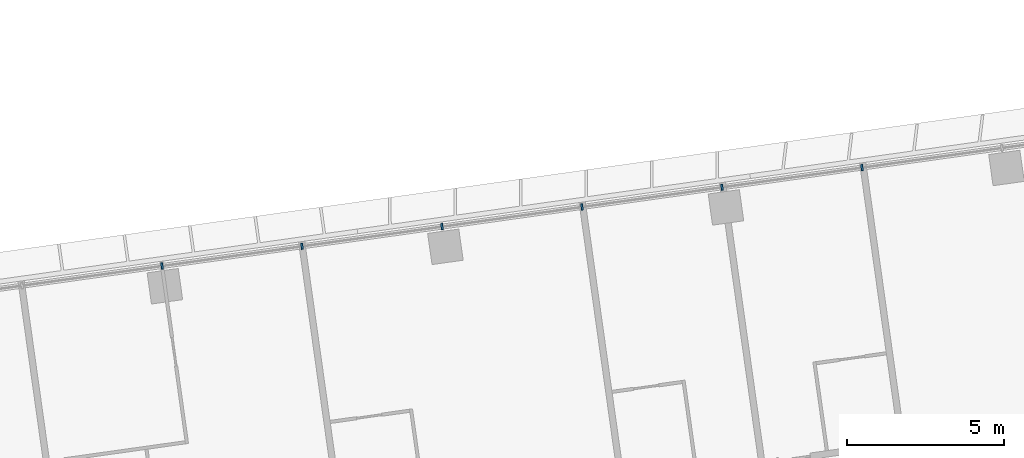
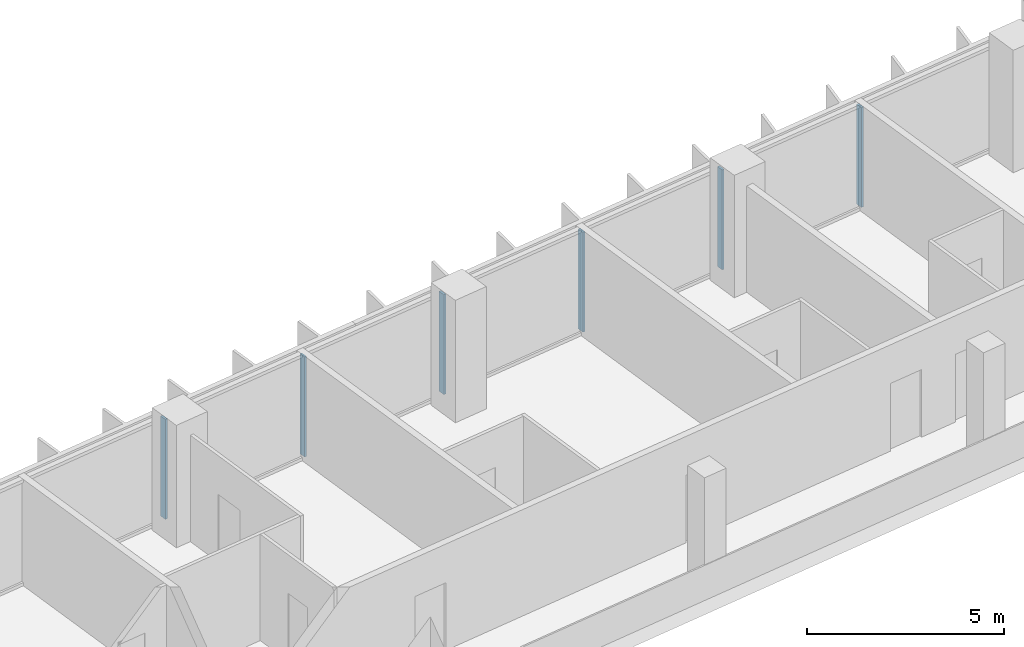
# One storey, part 10 of 24: 6 members, 1 element without a shape of its own.
"""IFC4 building model written with IfcOpenShell, lengths in metres."""

import ifcopenshell
import ifcopenshell.guid

model = None  # the IFC model being written
_history = None  # IfcOwnerHistory: only IFC2X3 demands one
_inside = {}  # id of a spatial element -> (the spatial element, [elements in it])
_under = {}  # id of a project, library or spatial element -> (it, [spatial elements below it])
_declared = {}  # id of a project -> (the project, [libraries it declares])
_typed = {}  # id of a type object -> (the type object, [elements of that type])
_made_of = {}  # id of a material, layer set ... -> (it, [elements and type objects made of it])


def new_model(schema):
    """Start an empty IFC model of exactly this schema.

    Asked for "IFC4X3", IfcOpenShell would pick the latest addendum, in which some entities
    have other attributes; the version numbers below select the first issue.
    IFC2X3 requires an IfcOwnerHistory on every rooted entity: one is made here for all.
    """
    global model, _history
    if schema == "IFC4X3":
        model = ifcopenshell.file(schema_version=(4, 3, 0, 0))
    else:
        model = ifcopenshell.file(schema=schema)
    _inside.clear()
    _under.clear()
    _declared.clear()
    _typed.clear()
    _made_of.clear()
    _history = None
    if model.schema == "IFC2X3":
        org = make("IfcOrganization", Name="unknown")
        user = make(
            "IfcPersonAndOrganization",
            ThePerson=make("IfcPerson", FamilyName="unknown"),
            TheOrganization=org,
        )
        app = make(
            "IfcApplication",
            ApplicationDeveloper=org,
            Version="unknown",
            ApplicationFullName="unknown",
            ApplicationIdentifier="unknown",
        )
        _history = make(
            "IfcOwnerHistory",
            OwningUser=user,
            OwningApplication=app,
            ChangeAction="ADDED",
            CreationDate=0,
        )
    return model


def make(cls, **values):
    """One entity of the class cls with the attributes given. An attribute that is None is left unset."""
    return model.create_entity(
        cls, **{name: value for name, value in values.items() if value is not None}
    )


def rooted(cls, **values):
    """An entity with a GlobalId (a new one), such as an element, a storey or a relation."""
    return make(cls, GlobalId=ifcopenshell.guid.new(), OwnerHistory=_history, **values)


def si_unit(unit_type, name, prefix=None):
    """IfcSIUnit, for example si_unit("LENGTHUNIT", "METRE", prefix="MILLI")."""
    return make("IfcSIUnit", UnitType=unit_type, Prefix=prefix, Name=name)


def assignment(units):
    """IfcUnitAssignment: the units of a project."""
    return None if units is None else make("IfcUnitAssignment", Units=units)


def point(xyz):
    """IfcCartesianPoint."""
    return None if xyz is None else make("IfcCartesianPoint", Coordinates=xyz)


def direction(xyz):
    """IfcDirection."""
    return None if xyz is None else make("IfcDirection", DirectionRatios=xyz)


def frame(location, z_axis=None, x_axis=None):
    """IfcAxis2Placement3D, a coordinate frame: its origin and axes. An axis left out is left unset."""
    return make(
        "IfcAxis2Placement3D",
        Location=point(location),
        Axis=direction(z_axis),
        RefDirection=direction(x_axis),
    )


def frame_2d(location, x_axis=None):
    """IfcAxis2Placement2D, a coordinate frame in the plane: its origin and x axis."""
    return make(
        "IfcAxis2Placement2D", Location=point(location), RefDirection=direction(x_axis)
    )


def origin():
    """The frame at (0, 0, 0) with its axes left unset."""
    return frame((0.0, 0.0, 0.0))


def origin_2d():
    """The frame at (0, 0) in the plane with its x axis left unset."""
    return frame_2d((0.0, 0.0))


def place(relative_to, where):
    """IfcLocalPlacement: puts the frame where relative to a parent placement (None: the world)."""
    return make(
        "IfcLocalPlacement", PlacementRelTo=relative_to, RelativePlacement=where
    )


def context(
    kind, dimensions, precision=None, world=None, true_north=None, identifier=None
):
    """IfcGeometricRepresentationContext, for example the 3D "Model" context."""
    return make(
        "IfcGeometricRepresentationContext",
        ContextIdentifier=identifier,
        ContextType=kind,
        CoordinateSpaceDimension=dimensions,
        Precision=precision,
        WorldCoordinateSystem=world,
        TrueNorth=true_north,
    )


def subcontext(parent, identifier, kind, view, scale=None):
    """IfcGeometricRepresentationSubContext, for example "Body" below "Model"."""
    return make(
        "IfcGeometricRepresentationSubContext",
        ContextIdentifier=identifier,
        ContextType=kind,
        ParentContext=parent,
        TargetScale=scale,
        TargetView=view,
    )


def project(units=None, contexts=None):
    """IfcProject with its units and contexts."""
    return rooted(
        "IfcProject",
        Name="project",
        RepresentationContexts=contexts,
        UnitsInContext=assignment(units),
    )


def spatial(cls, under=None, at=None, **own):
    """A site, building, storey or space (cls), placed at a placement, below another one or the project."""
    s = rooted(cls, ObjectPlacement=at, **own)
    if under is not None:
        _under.setdefault(under.id(), (under, []))[1].append(s)
    return s


def profile(cls, at=None, kind="AREA", **sizes):
    """A parametric profile (cls). Its sizes go by their IFC names, for example OverallWidth=200.0."""
    return make(cls, ProfileType=kind, Position=at, **sizes)


def rectangle(**sizes):
    """IfcRectangleProfileDef."""
    return profile("IfcRectangleProfileDef", **sizes)


def extrude(swept, where, along, depth):
    """IfcExtrudedAreaSolid: the profile swept, set in the frame where, extruded along a direction by depth."""
    return make(
        "IfcExtrudedAreaSolid",
        SweptArea=swept,
        Position=where,
        ExtrudedDirection=direction(along),
        Depth=depth,
    )


def shape(context_of_items, identifier, shape_type, items):
    """IfcShapeRepresentation: the items that make up one representation, for example the "Body"."""
    return make(
        "IfcShapeRepresentation",
        ContextOfItems=context_of_items,
        RepresentationIdentifier=identifier,
        RepresentationType=shape_type,
        Items=items,
    )


def material(Name=None, Category=None):
    """IfcMaterial."""
    return make("IfcMaterial", Name=Name, Category=Category)


def material_profile(
    of_material, cross_section, Name=None, Category=None, Priority=None
):
    """IfcMaterialProfile: a cross section and its material."""
    return make(
        "IfcMaterialProfile",
        Name=Name,
        Material=of_material,
        Profile=cross_section,
        Priority=Priority,
        Category=Category,
    )


def profile_set(profiles, Name=None, composite=None):
    """IfcMaterialProfileSet."""
    return make(
        "IfcMaterialProfileSet",
        Name=Name,
        MaterialProfiles=profiles,
        CompositeProfile=composite,
    )


def made_of(thing, what):
    """Note that an element or type object is made of a material, layer set ...; save() writes the relation."""
    if what is not None:
        _made_of.setdefault(what.id(), (what, []))[1].append(thing)
    return thing


def type_object(cls, material=None, **own):
    """A type object (cls), such as IfcWallType, which elements share."""
    return made_of(rooted(cls, **own), material)


def element(
    cls,
    number,
    at=None,
    inside=None,
    cuts=None,
    type_object=None,
    material=None,
    context=None,
    identifier="Body",
    shape_type=None,
    held_by="IfcProductDefinitionShape",
    body=None,
    shapes=None,
    **own,
):
    """One element of the class cls, such as IfcWall. Its Tag is "e" and its number.

    at: its placement. inside: the storey or other place that contains it. cuts: it is an
    opening in that element (IfcRelVoidsElement). A single representation is given by context,
    identifier, shape_type and body (its items); several are given by shapes. held_by: the class
    of the entity that holds the representations. save() writes the other relations.
    """
    e = rooted(cls, Tag="e%d" % number, ObjectPlacement=at, **own)
    if body is not None:
        shapes = [shape(context, identifier, shape_type, body)]
    if shapes is not None:
        e.Representation = make(held_by, Representations=shapes)
    if inside is not None:
        _inside.setdefault(inside.id(), (inside, []))[1].append(e)
    if cuts is not None:
        rooted(
            "IfcRelVoidsElement", RelatingBuildingElement=cuts, RelatedOpeningElement=e
        )
    if type_object is not None:
        _typed.setdefault(type_object.id(), (type_object, []))[1].append(e)
    return made_of(e, material)


def aggregate(whole, parts):
    """IfcRelAggregates: a whole, such as a stair, and the parts it consists of."""
    return rooted("IfcRelAggregates", RelatingObject=whole, RelatedObjects=parts)


def save(model, path):
    """Write the relations noted so far, then the file.

    IfcRelAggregates (storeys below a building ...), IfcRelContainedInSpatialStructure (elements
    in a storey), IfcRelDefinesByType, IfcRelAssociatesMaterial and IfcRelDeclares: one each for
    every whole, place, type object, material and project.
    """
    for whole, parts in _under.values():
        aggregate(whole, parts)
    for where, things in _inside.values():
        rooted(
            "IfcRelContainedInSpatialStructure",
            RelatedElements=things,
            RelatingStructure=where,
        )
    for kind, things in _typed.values():
        rooted("IfcRelDefinesByType", RelatedObjects=things, RelatingType=kind)
    for what, things in _made_of.values():
        rooted("IfcRelAssociatesMaterial", RelatedObjects=things, RelatingMaterial=what)
    for by, libraries in _declared.values():
        rooted("IfcRelDeclares", RelatingContext=by, RelatedDefinitions=libraries)
    model.write(path)


model = new_model("IFC4")

# Units and contexts
model_context = context("Model", 3, precision=1e-05, world=origin(), true_north=direction((0.0, 1.0)))
body_context = subcontext(model_context, "Body", "Model", "MODEL_VIEW")
ifc_project = project(units=[si_unit("LENGTHUNIT", "METRE"), si_unit("AREAUNIT", "SQUARE_METRE"), si_unit("VOLUMEUNIT", "CUBIC_METRE"), si_unit("PLANEANGLEUNIT", "RADIAN"), si_unit("MASSUNIT", "GRAM", prefix="KILO")], contexts=[model_context])

# Site, building, storey
site_placement = place(None, origin())
site = spatial("IfcSite", under=ifc_project, at=site_placement, CompositionType="ELEMENT")
building_placement = place(site_placement, origin())
building = spatial("IfcBuilding", under=site, at=building_placement, Name="Mirante Cascada Hotel Towers", CompositionType="ELEMENT")
storey_placement = place(building_placement, frame((0.0, 0.0, 88.9)))
storey = spatial("IfcBuildingStorey", under=building, at=storey_placement, Name="L19", CompositionType="ELEMENT", Elevation=88.9)

# Curtain wall, members
ifc_material_1 = material(Name="Aluminium mullion and transom frame with clear laminated glass", Category="aluminium")
curtain_wall_type = type_object("IfcCurtainWallType", Name="Ribbon curtain wall ECW1", PredefinedType="NOTDEFINED", material=ifc_material_1)
curtain_wall_placement = place(storey_placement, origin())
curtain_wall = element("IfcCurtainWall", 1, at=curtain_wall_placement, inside=storey, type_object=curtain_wall_type, Name="Front ribbon wall T2 L19", PredefinedType="NOTDEFINED")
ifc_material_2 = material(Name="Anodised aluminium extrusion", Category="aluminium")
ifc_material_profile = material_profile(ifc_material_2, rectangle(XDim=0.2, YDim=0.065, at=origin_2d()), Name="ECW1 MULLION 65x200")
ifc_profile_set = profile_set([ifc_material_profile], Name="Anodised aluminium extrusion")
member_type = type_object("IfcMemberType", Name="ECW1 mullion 65x200", PredefinedType="MULLION", material=ifc_profile_set)
member_1_placement = place(storey_placement, frame((85.2633, 24.802, 0.1), z_axis=(0.0, 0.0, 1.0), x_axis=(0.1391731, -0.9902681, 0.0)))
member_1 = element("IfcMember", 2, at=member_1_placement, type_object=member_type, Name="ECW1 mullion 3", PredefinedType="MULLION", context=body_context, shape_type="SweptSolid", body=[
    extrude(rectangle(XDim=0.2, YDim=0.065, at=origin_2d()), origin(), (0.0, 0.0, 1.0), 3.1),
])
member_2_placement = place(storey_placement, frame((80.8159, 24.177, 0.1), z_axis=(0.0, 0.0, 1.0), x_axis=(0.1391731, -0.9902681, 0.0)))
member_2 = element("IfcMember", 3, at=member_2_placement, type_object=member_type, Name="ECW1 mullion 4", PredefinedType="MULLION", context=body_context, shape_type="SweptSolid", body=[
    extrude(rectangle(XDim=0.2, YDim=0.065, at=origin_2d()), origin(), (0.0, 0.0, 1.0), 3.1),
])
member_3_placement = place(storey_placement, frame((76.3685, 23.5519, 0.1), z_axis=(0.0, 0.0, 1.0), x_axis=(0.1391731, -0.9902681, 0.0)))
member_3 = element("IfcMember", 4, at=member_3_placement, type_object=member_type, Name="ECW1 mullion 5", PredefinedType="MULLION", context=body_context, shape_type="SweptSolid", body=[
    extrude(rectangle(XDim=0.2, YDim=0.065, at=origin_2d()), origin(), (0.0, 0.0, 1.0), 3.1),
])
member_4_placement = place(storey_placement, frame((71.9211, 22.9269, 0.1), z_axis=(0.0, 0.0, 1.0), x_axis=(0.1391731, -0.9902681, 0.0)))
member_4 = element("IfcMember", 5, at=member_4_placement, type_object=member_type, Name="ECW1 mullion 6", PredefinedType="MULLION", context=body_context, shape_type="SweptSolid", body=[
    extrude(rectangle(XDim=0.2, YDim=0.065, at=origin_2d()), origin(), (0.0, 0.0, 1.0), 3.1),
])
member_5_placement = place(storey_placement, frame((67.4737, 22.3018, 0.1), z_axis=(0.0, 0.0, 1.0), x_axis=(0.1391731, -0.9902681, 0.0)))
member_5 = element("IfcMember", 6, at=member_5_placement, type_object=member_type, Name="ECW1 mullion 7", PredefinedType="MULLION", context=body_context, shape_type="SweptSolid", body=[
    extrude(rectangle(XDim=0.2, YDim=0.065, at=origin_2d()), origin(), (0.0, 0.0, 1.0), 3.1),
])
member_6_placement = place(storey_placement, frame((63.0262, 21.6768, 0.1), z_axis=(0.0, 0.0, 1.0), x_axis=(0.1391731, -0.9902681, 0.0)))
member_6 = element("IfcMember", 7, at=member_6_placement, type_object=member_type, Name="ECW1 mullion 8", PredefinedType="MULLION", context=body_context, shape_type="SweptSolid", body=[
    extrude(rectangle(XDim=0.2, YDim=0.065, at=origin_2d()), origin(), (0.0, 0.0, 1.0), 3.1),
])
aggregate(curtain_wall, [member_1, member_2, member_3, member_4, member_5, member_6])

save(model, "model.ifc")
